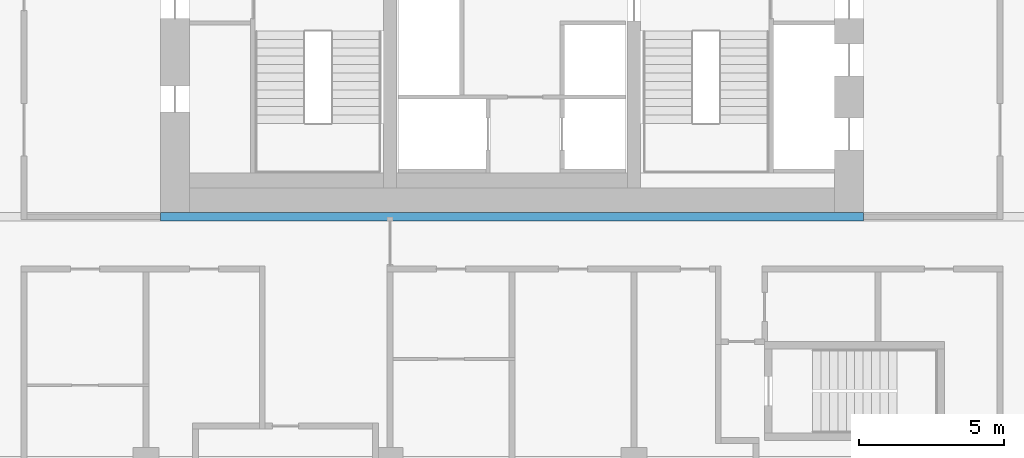
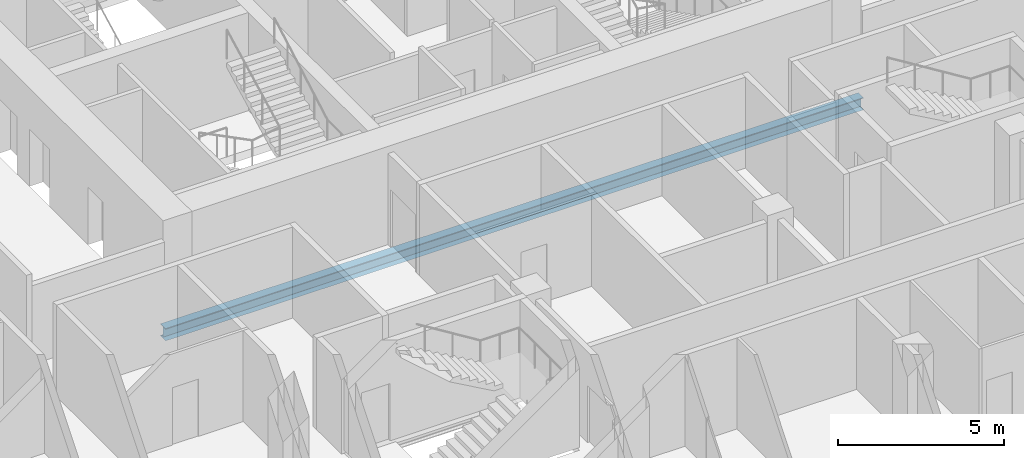
# One storey, part 5 of 23: 1 beam.
"""IFC4 building model written with IfcOpenShell, lengths in metres."""

from ifc_helpers import new_model, si_unit, direction, frame, origin, origin_2d, place, context, subcontext, project, spatial, i_section, extrude, material, material_profile, profile_set, type_object, element, save


model = new_model("IFC4")

# Units and contexts
model_context = context("Model", 3, precision=1e-05, world=origin(), true_north=direction((0.0, 1.0)))
body_context = subcontext(model_context, "Body", "Model", "MODEL_VIEW")
ifc_project = project(units=[si_unit("LENGTHUNIT", "METRE"), si_unit("AREAUNIT", "SQUARE_METRE"), si_unit("VOLUMEUNIT", "CUBIC_METRE"), si_unit("PLANEANGLEUNIT", "RADIAN"), si_unit("MASSUNIT", "GRAM", prefix="KILO")], contexts=[model_context])

# Site, building, storey
site_placement = place(None, origin())
site = spatial("IfcSite", under=ifc_project, at=site_placement, CompositionType="ELEMENT")
building_placement = place(site_placement, origin())
building = spatial("IfcBuilding", under=site, at=building_placement, Name="Marenta Gate Hotel Tower", CompositionType="ELEMENT")
storey_placement = place(building_placement, frame((0.0, 0.0, 148.10009765625)))
storey = spatial("IfcBuildingStorey", under=building, at=storey_placement, Name="L34", CompositionType="ELEMENT", Elevation=148.10009765625)

# Beam
ifc_material = material(Name="Steel S355", Category="steel")
ifc_material_profile = material_profile(ifc_material, i_section(OverallWidth=0.300048828125, OverallDepth=0.449951171875, WebThickness=0.013916015625, FlangeThickness=0.02587890625, FilletRadius=0.027099609375, at=origin_2d()), Name="HEB 450")
ifc_profile_set = profile_set([ifc_material_profile], Name="Steel S355")
beam_type = type_object("IfcBeamType", Name="Girder HEB 450", PredefinedType="BEAM", material=ifc_profile_set)
beam_placement = place(storey_placement, frame((-12.10009765625, 0.0, -0.485107421875), z_axis=(1.0, 0.0, 0.0), x_axis=(0.0, 1.0, 0.0)))
element("IfcBeam", 1, at=beam_placement, inside=storey, type_object=beam_type, Name="L34-GD-17", PredefinedType="BEAM", context=body_context, shape_type="SweptSolid", body=[
    extrude(i_section(OverallWidth=0.300048828125, OverallDepth=0.449951171875, WebThickness=0.013916015625, FlangeThickness=0.02587890625, FilletRadius=0.027099609375, at=origin_2d()), origin(), (0.0, 0.0, 1.0), 24.2001953125),
])

save(model, "model.ifc")
